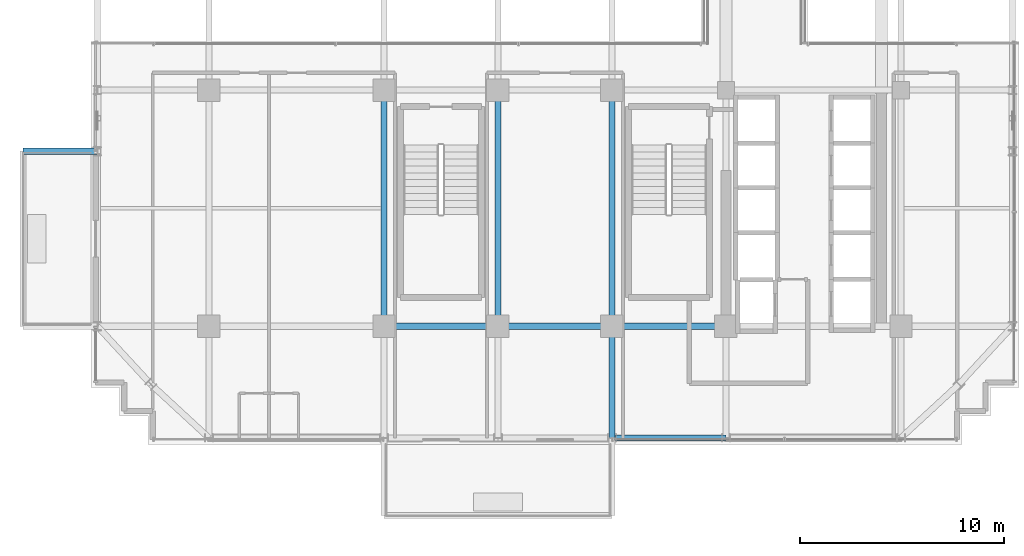
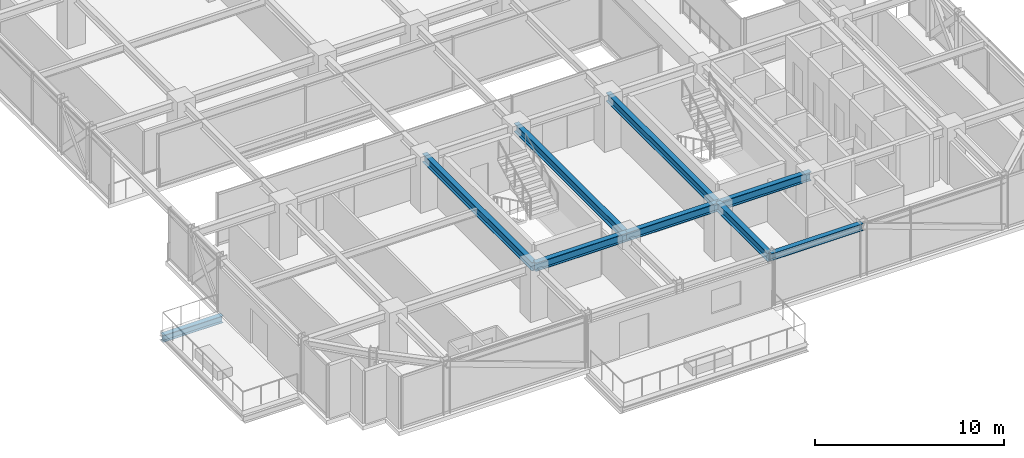
# One storey, part 6 of 35: 9 beams.
"""IFC4 building model written with IfcOpenShell, lengths in metres."""

from ifc_helpers import new_model, si_unit, direction, frame, origin, origin_2d, place, context, subcontext, project, spatial, i_section, extrude, source, transform, mapped, material, material_profile, profile_set, type_object, element, save


model = new_model("IFC4")

# Units and contexts
model_context = context("Model", 3, precision=1e-05, world=origin(), true_north=direction((0.0, 1.0)))
body_context = subcontext(model_context, "Body", "Model", "MODEL_VIEW")
ifc_project = project(units=[si_unit("LENGTHUNIT", "METRE"), si_unit("AREAUNIT", "SQUARE_METRE"), si_unit("VOLUMEUNIT", "CUBIC_METRE"), si_unit("PLANEANGLEUNIT", "RADIAN"), si_unit("MASSUNIT", "GRAM", prefix="KILO")], contexts=[model_context])

# Site, building, storey
site_placement = place(None, origin())
site = spatial("IfcSite", under=ifc_project, at=site_placement, CompositionType="ELEMENT")
building_placement = place(site_placement, origin())
building = spatial("IfcBuilding", under=site, at=building_placement, Name="Nahalor Promenade Grand Hotel", CompositionType="ELEMENT")
storey_placement = place(building_placement, frame((0.0, 0.0, 185.5)))
storey = spatial("IfcBuildingStorey", under=building, at=storey_placement, Name="L47", CompositionType="ELEMENT", Elevation=185.5)

# Beams
ifc_material = material(Name="Steel S355JR", Category="steel")
ifc_material_profile_1 = material_profile(ifc_material, i_section(OverallWidth=0.3, OverallDepth=0.45, WebThickness=0.014, FlangeThickness=0.026, at=origin_2d()), Name="HEB 450")
ifc_profile_set_1 = profile_set([ifc_material_profile_1], Name="Steel S355JR")
beam_type_1 = type_object("IfcBeamType", Name="Beam-Outrigger-HEB450", PredefinedType="BEAM", material=ifc_profile_set_1)
shared_shape_1 = source(origin(), body_context, "Body", "SweptSolid", [
    extrude(i_section(OverallWidth=0.3, OverallDepth=0.45, WebThickness=0.014, FlangeThickness=0.026, at=origin_2d()), origin(), (0.0, 0.0, 1.0), 3.64990234375),
])
beam_1_placement = place(storey_placement, frame((-26.1298828125, -8.39990234375, -0.5048828125), z_axis=(1.0, 0.0, 0.0), x_axis=(0.0, 1.0, 0.0)))
element("IfcBeam", 1, at=beam_1_placement, inside=storey, type_object=beam_type_1, Name="BM-L47-BC-02-2", PredefinedType="BEAM", context=body_context, shape_type="MappedRepresentation", body=[
    mapped(shared_shape_1, transform((0.0, 0.0, 0.0), scale=1.0)),
])
ifc_material_profile_2 = material_profile(ifc_material, i_section(OverallWidth=0.3, OverallDepth=0.55, WebThickness=0.015, FlangeThickness=0.029, at=origin_2d()), Name="HEB 550")
ifc_profile_set_2 = profile_set([ifc_material_profile_2], Name="Steel S355JR")
beam_type_2 = type_object("IfcBeamType", Name="Beam-Girder-HEB550", PredefinedType="BEAM", material=ifc_profile_set_2)
shared_shape_2 = source(origin(), body_context, "Body", "SweptSolid", [
    extrude(i_section(OverallWidth=0.3, OverallDepth=0.55, WebThickness=0.015, FlangeThickness=0.029, at=origin_2d()), origin(), (0.0, 0.0, 1.0), 5.599853515625),
])
for number, where, z_axis, x_axis, name in (
    (2, (-8.39990234375, -17.0, 3.114990234375), (1.0, 0.0, 0.0), (0.0, 1.0, 0.0), "BM-L47-GX-0-2"),
    (3, (2.800048828125, -17.0, 3.114990234375), (1.0, 0.0, 0.0), (0.0, 1.0, 0.0), "BM-L47-GX-0-4"),
):
    element("IfcBeam", number, at=place(storey_placement, frame(where, z_axis=z_axis, x_axis=x_axis)), inside=storey, type_object=beam_type_2, Name=name, PredefinedType="BEAM", context=body_context, shape_type="MappedRepresentation", body=[
        mapped(shared_shape_2, transform((0.0, 0.0, 0.0), scale=1.0)),
    ])
shared_shape_3 = source(origin(), body_context, "Body", "SweptSolid", [
    extrude(i_section(OverallWidth=0.3, OverallDepth=0.55, WebThickness=0.015, FlangeThickness=0.029, at=origin_2d()), origin(), (0.0, 0.0, 1.0), 5.60009765625),
])
beam_2_placement = place(storey_placement, frame((-2.800048828125, -17.0, 3.114990234375), z_axis=(1.0, 0.0, 0.0), x_axis=(0.0, 1.0, 0.0)))
element("IfcBeam", 4, at=beam_2_placement, inside=storey, type_object=beam_type_2, Name="BM-L47-GX-0-3", PredefinedType="BEAM", context=body_context, shape_type="MappedRepresentation", body=[
    mapped(shared_shape_3, transform((0.0, 0.0, 0.0), scale=1.0)),
])
shared_shape_4 = source(origin(), body_context, "Body", "SweptSolid", [
    extrude(i_section(OverallWidth=0.3, OverallDepth=0.55, WebThickness=0.015, FlangeThickness=0.029, at=origin_2d()), origin(), (0.0, 0.0, 1.0), 11.60009765625),
])
for number, where, z_axis, x_axis, name in (
    (5, (-8.39990234375, -17.0, 3.114990234375), (0.0, 1.0, 0.0), (-1.0, 0.0, 0.0), "BM-L47-GY-1-1"),
    (6, (-2.800048828125, -17.0, 3.114990234375), (0.0, 1.0, 0.0), (-1.0, 0.0, 0.0), "BM-L47-GY-2-1"),
    (7, (2.800048828125, -17.0, 3.114990234375), (0.0, 1.0, 0.0), (-1.0, 0.0, 0.0), "BM-L47-GY-3-1"),
):
    element("IfcBeam", number, at=place(storey_placement, frame(where, z_axis=z_axis, x_axis=x_axis)), inside=storey, type_object=beam_type_2, Name=name, PredefinedType="BEAM", context=body_context, shape_type="MappedRepresentation", body=[
        mapped(shared_shape_4, transform((0.0, 0.0, 0.0), scale=1.0)),
    ])
shared_shape_5 = source(origin(), body_context, "Body", "SweptSolid", [
    extrude(i_section(OverallWidth=0.3, OverallDepth=0.55, WebThickness=0.015, FlangeThickness=0.029, at=origin_2d()), origin(), (0.0, 0.0, 1.0), 5.47998046875),
])
beam_3_placement = place(storey_placement, frame((2.800048828125, -22.47998046875, 3.114990234375), z_axis=(0.0, 1.0, 0.0), x_axis=(-1.0, 0.0, 0.0)))
element("IfcBeam", 8, at=beam_3_placement, inside=storey, type_object=beam_type_2, Name="BM-L47-GY-3-0", PredefinedType="BEAM", context=body_context, shape_type="MappedRepresentation", body=[
    mapped(shared_shape_5, transform((0.0, 0.0, 0.0), scale=1.0)),
])
ifc_material_profile_3 = material_profile(ifc_material, i_section(OverallWidth=0.3, OverallDepth=0.45, WebThickness=0.014, FlangeThickness=0.026, at=origin_2d()), Name="HEB 450")
ifc_profile_set_3 = profile_set([ifc_material_profile_3], Name="Steel S355JR")
beam_type_3 = type_object("IfcBeamType", Name="Beam-Spandrel-HEB450", PredefinedType="SPANDREL", material=ifc_profile_set_3)
shared_shape_6 = source(origin(), body_context, "Body", "SweptSolid", [
    extrude(i_section(OverallWidth=0.3, OverallDepth=0.45, WebThickness=0.014, FlangeThickness=0.026, at=origin_2d()), origin(), (0.0, 0.0, 1.0), 5.599853515625),
])
beam_4_placement = place(storey_placement, frame((2.800048828125, -22.47998046875, 3.1650390625), z_axis=(1.0, 0.0, 0.0), x_axis=(0.0, 1.0, 0.0)))
element("IfcBeam", 9, at=beam_4_placement, inside=storey, type_object=beam_type_3, Name="BM-L47-SP-S-3", PredefinedType="SPANDREL", context=body_context, shape_type="MappedRepresentation", body=[
    mapped(shared_shape_6, transform((0.0, 0.0, 0.0), scale=1.0)),
])

save(model, "model.ifc")
